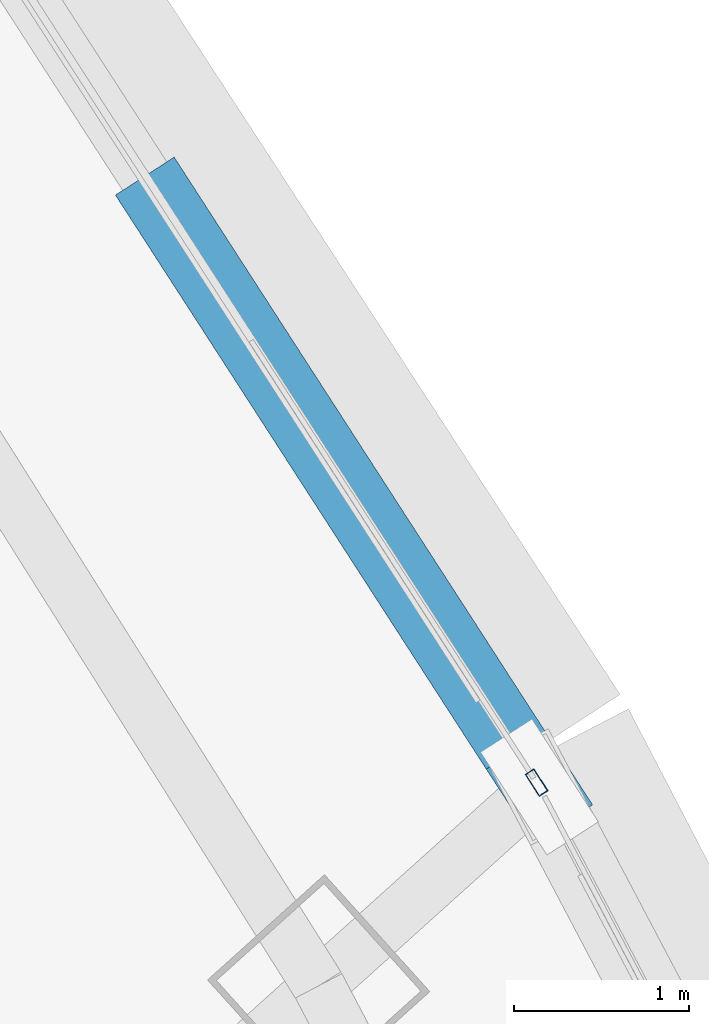
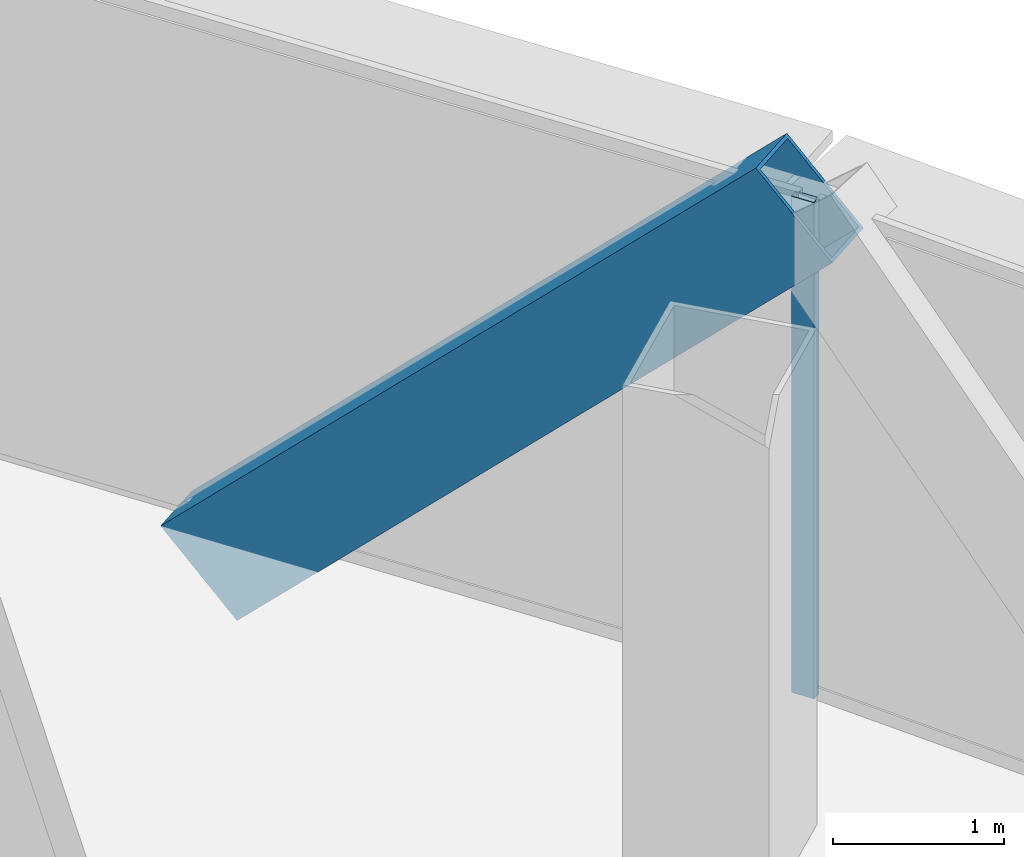
# One storey, part 20 of 38: 2 members, 1 element without a shape of its own.
"""IFC4 building model written with IfcOpenShell, lengths in metres."""

from ifc_helpers import new_model, si_unit, direction, frame, origin, origin_2d, place, context, subcontext, project, spatial, hollow_rectangle, extrude, source, transform, mapped, material, layer, layer_set, material_profile, profile_set, type_object, element, aggregate, save


model = new_model("IFC4")

# Units and contexts
model_context = context("Model", 3, precision=1e-05, world=origin(), true_north=direction((0.0, 1.0)))
body_context = subcontext(model_context, "Body", "Model", "MODEL_VIEW")
ifc_project = project(units=[si_unit("LENGTHUNIT", "METRE"), si_unit("AREAUNIT", "SQUARE_METRE"), si_unit("VOLUMEUNIT", "CUBIC_METRE"), si_unit("PLANEANGLEUNIT", "RADIAN"), si_unit("MASSUNIT", "GRAM", prefix="KILO"), si_unit("THERMODYNAMICTEMPERATUREUNIT", "KELVIN"), si_unit("POWERUNIT", "WATT")], contexts=[model_context])

# Site, building, storey
site_placement = place(None, origin())
site = spatial("IfcSite", under=ifc_project, at=site_placement, CompositionType="ELEMENT")
building_placement = place(site_placement, origin())
building = spatial("IfcBuilding", under=site, at=building_placement, Name="Yunzhuo Pagoda Commons", CompositionType="ELEMENT")
storey_placement = place(building_placement, frame((0.0, 0.0, 203.760009765625)))
storey = spatial("IfcBuildingStorey", under=building, at=storey_placement, Name="L51", CompositionType="ELEMENT", Elevation=203.760009765625)

# Member
ifc_material_1 = material(Name="Structural steel Q355B", Category="steel")
ifc_material_profile_1 = material_profile(ifc_material_1, hollow_rectangle(XDim=0.39990234375, YDim=0.719970703125, WallThickness=0.02392578125, at=origin_2d()), Name="Structural steel Q355B")
ifc_profile_set_1 = profile_set([ifc_material_profile_1], Name="Structural steel Q355B")
member_type_1 = type_object("IfcMemberType", Name="M-DL2 Brace BOX 720x400x24", PredefinedType="BRACE", material=ifc_profile_set_1)
shared_shape_1 = source(origin(), body_context, "Body", "SweptSolid", [
    extrude(hollow_rectangle(XDim=0.39990234375, YDim=0.719970703125, WallThickness=0.02392578125, at=origin_2d()), origin(), (0.0, 0.0, 1.0), 5.45068359375),
])
member_1_placement = place(storey_placement, frame((69.792724609375, 58.513671875, -0.260009765625), z_axis=(0.389012502589, -0.602174333311, 0.697176695774), x_axis=(0.839970557763, 0.542631976657, 0.0)))
element("IfcMember", 1, at=member_1_placement, inside=storey, type_object=member_type_1, Name="L51 facade diamond brace F2.3L", PredefinedType="BRACE", context=body_context, shape_type="MappedRepresentation", body=[
    mapped(shared_shape_1, transform((0.0, 0.0, 0.0), scale=1.0)),
])

# Curtain wall, member
ifc_material_2 = material(Name="Anodized aluminium 6063-T6", Category="aluminium")
ifc_layer = layer(ifc_material_2, 0.14990234375)
ifc_layer_set = layer_set([ifc_layer], Name="Anodized aluminium 6063-T6")
curtain_wall_type = type_object("IfcCurtainWallType", Name="CW-MID Mid-Zone Ribbon Curtain Wall", PredefinedType="NOTDEFINED", material=ifc_layer_set)
curtain_wall_placement = place(storey_placement, origin())
curtain_wall = element("IfcCurtainWall", 2, at=curtain_wall_placement, inside=storey, type_object=curtain_wall_type, Name="L51 curtain wall CW-L51-F2B4", PredefinedType="NOTDEFINED")
ifc_material_profile_2 = material_profile(ifc_material_2, hollow_rectangle(XDim=0.06005859375, YDim=0.14990234375, WallThickness=0.00390625, at=origin_2d()), Name="Anodized aluminium 6063-T6")
ifc_profile_set_2 = profile_set([ifc_material_profile_2], Name="Anodized aluminium 6063-T6")
member_type_2 = type_object("IfcMemberType", Name="CW-MID-M Mullion RHS 150x60x4", PredefinedType="MULLION", material=ifc_profile_set_2)
shared_shape_2 = source(origin(), body_context, "Body", "SweptSolid", [
    extrude(hollow_rectangle(XDim=0.06005859375, YDim=0.14990234375, WallThickness=0.00390625, at=origin_2d()), origin(), (0.0, 0.0, 1.0), 3.5400390625),
])
member_2_placement = place(storey_placement, frame((71.89697265625, 55.256591796875, 0.0), z_axis=(0.0, 0.0, 1.0), x_axis=(-0.839965077478, -0.542640459805, 0.0)))
member_2 = element("IfcMember", 3, at=member_2_placement, type_object=member_type_2, Name="CW mullion 1", PredefinedType="MULLION", context=body_context, shape_type="MappedRepresentation", body=[
    mapped(shared_shape_2, transform((0.0, 0.0, 0.0), scale=1.0)),
])
aggregate(curtain_wall, [member_2])

save(model, "model.ifc")
